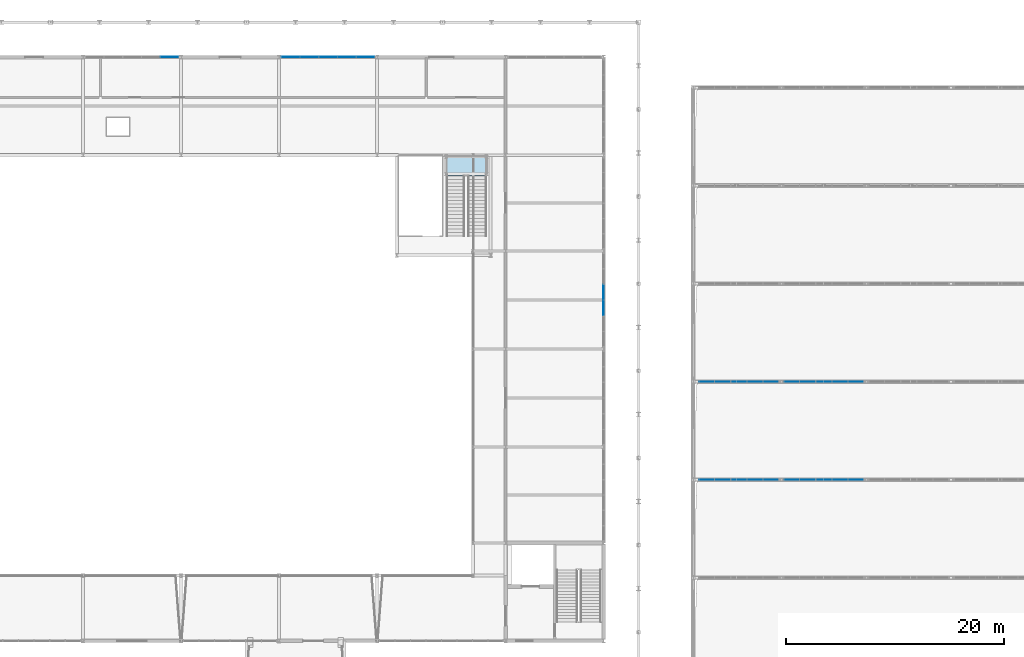
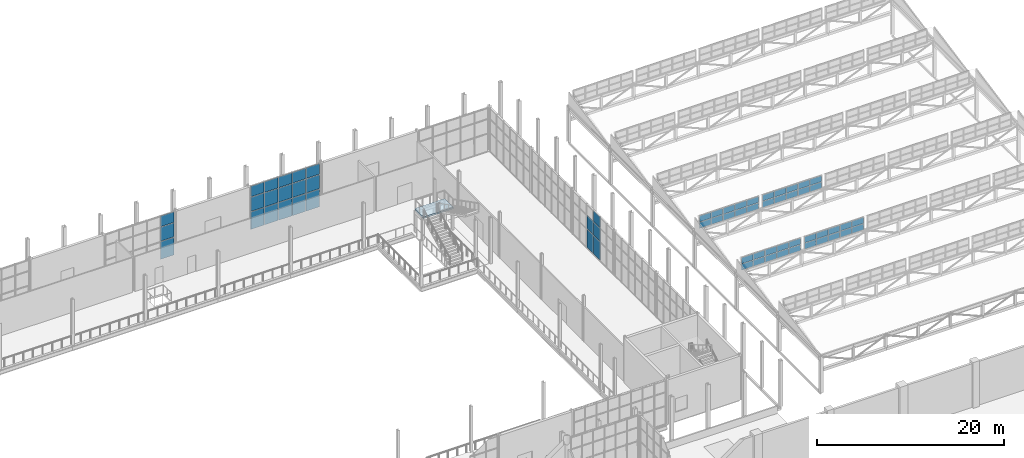
# One storey, part 114 of 159: 63 plates, 1 slab, 8 elements without a shape of their own.
"""IFC4 building model written with IfcOpenShell, lengths in metres."""

from ifc_helpers import new_model, si_unit, direction, frame, origin, origin_2d, place, context, subcontext, project, spatial, polyline, rectangle, outline, extrude, material, layer, layer_set, type_object, element, aggregate, save


model = new_model("IFC4")

# Units and contexts
model_context = context("Model", 3, precision=1e-05, world=origin(), true_north=direction((0.0, 1.0)))
body_context = subcontext(model_context, "Body", "Model", "MODEL_VIEW")
ifc_project = project(units=[si_unit("LENGTHUNIT", "METRE"), si_unit("AREAUNIT", "SQUARE_METRE"), si_unit("VOLUMEUNIT", "CUBIC_METRE"), si_unit("PLANEANGLEUNIT", "RADIAN"), si_unit("MASSUNIT", "GRAM", prefix="KILO")], contexts=[model_context])

# Site, building, storey
site_placement = place(None, origin())
site = spatial("IfcSite", under=ifc_project, at=site_placement, CompositionType="ELEMENT")
building_placement = place(site_placement, origin())
building = spatial("IfcBuilding", under=site, at=building_placement, Name="Cazmaro Siding Exhibition Halls", CompositionType="ELEMENT")
storey_placement = place(building_placement, frame((0.0, 0.0, 6.0)))
storey = spatial("IfcBuildingStorey", under=building, at=storey_placement, Name="L01", CompositionType="ELEMENT", Elevation=6.0)

# Curtain wall, plates
ifc_material_1 = material(Name="Anodized Bronze Aluminum and Solar-Control Low-E Glazing", Category="aluminium")
ifc_layer_1 = layer(ifc_material_1, 0.199951171875)
ifc_layer_set_1 = layer_set([ifc_layer_1], Name="Anodized Bronze Aluminum and Solar-Control Low-E Glazing")
curtain_wall_type_1 = type_object("IfcCurtainWallType", Name="CWS-02", PredefinedType="USERDEFINED", material=ifc_layer_set_1)
curtain_wall_1_placement = place(storey_placement, origin())
curtain_wall_1 = element("IfcCurtainWall", 1, at=curtain_wall_1_placement, inside=storey, type_object=curtain_wall_type_1, Name="Glazed Curtain Wall CWS-02 CW-033", ObjectType="GLAZED CURTAIN WALL", PredefinedType="USERDEFINED")
ifc_material_2 = material(Name="Solar-Control Low-E Double Insulating Glass", Category="glass")
ifc_layer_2 = layer(ifc_material_2, 0.035888671875)
ifc_layer_set_2 = layer_set([ifc_layer_2], Name="Solar-Control Low-E Double Insulating Glass")
plate_type_1 = type_object("IfcPlateType", Name="CWP-02", PredefinedType="CURTAIN_PANEL", material=ifc_layer_set_2)
plate_1_placement = place(storey_placement, frame((127.92626953125, 120.800048828125, 0.06494140625), z_axis=(0.0, 0.0, 1.0), x_axis=(-1.0, 0.0, 0.0)))
plate_1 = element("IfcPlate", 2, at=plate_1_placement, type_object=plate_type_1, Name="CWS-02 panel 1.1", PredefinedType="CURTAIN_PANEL", context=body_context, shape_type="SweptSolid", body=[
    extrude(rectangle(XDim=1.623779296875, YDim=0.035888671875, at=origin_2d()), origin(), (0.0, 0.0, 1.0), 2.302490234375),
])
plate_2_placement = place(storey_placement, frame((127.92626953125, 120.800048828125, 2.4326171875), z_axis=(0.0, 0.0, 1.0), x_axis=(-1.0, 0.0, 0.0)))
plate_2 = element("IfcPlate", 3, at=plate_2_placement, type_object=plate_type_1, Name="CWS-02 panel 1.2", PredefinedType="CURTAIN_PANEL", context=body_context, shape_type="SweptSolid", body=[
    extrude(rectangle(XDim=1.623779296875, YDim=0.035888671875, at=origin_2d()), origin(), (0.0, 0.0, 1.0), 1.8349609375),
])
plate_3_placement = place(storey_placement, frame((127.92626953125, 120.800048828125, 4.33251953125), z_axis=(0.0, 0.0, 1.0), x_axis=(-1.0, 0.0, 0.0)))
plate_3 = element("IfcPlate", 4, at=plate_3_placement, type_object=plate_type_1, Name="CWS-02 panel 1.3", PredefinedType="CURTAIN_PANEL", context=body_context, shape_type="SweptSolid", body=[
    extrude(rectangle(XDim=1.623779296875, YDim=0.035888671875, at=origin_2d()), origin(), (0.0, 0.0, 1.0), 1.382568359375),
])
aggregate(curtain_wall_1, [plate_1, plate_2, plate_3])

curtain_wall_2_placement = place(storey_placement, origin())
curtain_wall_2 = element("IfcCurtainWall", 5, at=curtain_wall_2_placement, inside=storey, type_object=curtain_wall_type_1, Name="Glazed Curtain Wall CWS-02 CW-041", ObjectType="GLAZED CURTAIN WALL", PredefinedType="USERDEFINED")
plate_4_placement = place(storey_placement, frame((145.92626953125, 120.800048828125, 0.06494140625), z_axis=(0.0, 0.0, 1.0), x_axis=(-1.0, 0.0, 0.0)))
plate_4 = element("IfcPlate", 6, at=plate_4_placement, type_object=plate_type_1, Name="CWS-02 panel 1.1", PredefinedType="CURTAIN_PANEL", context=body_context, shape_type="SweptSolid", body=[
    extrude(rectangle(XDim=1.623779296875, YDim=0.035888671875, at=origin_2d()), origin(), (0.0, 0.0, 1.0), 2.302490234375),
])
plate_5_placement = place(storey_placement, frame((145.92626953125, 120.800048828125, 2.4326171875), z_axis=(0.0, 0.0, 1.0), x_axis=(-1.0, 0.0, 0.0)))
plate_5 = element("IfcPlate", 7, at=plate_5_placement, type_object=plate_type_1, Name="CWS-02 panel 1.2", PredefinedType="CURTAIN_PANEL", context=body_context, shape_type="SweptSolid", body=[
    extrude(rectangle(XDim=1.623779296875, YDim=0.035888671875, at=origin_2d()), origin(), (0.0, 0.0, 1.0), 1.8349609375),
])
plate_6_placement = place(storey_placement, frame((145.92626953125, 120.800048828125, 4.33251953125), z_axis=(0.0, 0.0, 1.0), x_axis=(-1.0, 0.0, 0.0)))
plate_6 = element("IfcPlate", 8, at=plate_6_placement, type_object=plate_type_1, Name="CWS-02 panel 1.3", PredefinedType="CURTAIN_PANEL", context=body_context, shape_type="SweptSolid", body=[
    extrude(rectangle(XDim=1.623779296875, YDim=0.035888671875, at=origin_2d()), origin(), (0.0, 0.0, 1.0), 1.382568359375),
])
plate_7_placement = place(storey_placement, frame((144.22119140625, 120.800048828125, 0.06494140625), z_axis=(0.0, 0.0, 1.0), x_axis=(-1.0, 0.0, 0.0)))
plate_7 = element("IfcPlate", 9, at=plate_7_placement, type_object=plate_type_1, Name="CWS-02 panel 2.1", PredefinedType="CURTAIN_PANEL", context=body_context, shape_type="SweptSolid", body=[
    extrude(rectangle(XDim=1.65625, YDim=0.035888671875, at=origin_2d()), origin(), (0.0, 0.0, 1.0), 2.302490234375),
])
plate_8_placement = place(storey_placement, frame((144.22119140625, 120.800048828125, 2.4326171875), z_axis=(0.0, 0.0, 1.0), x_axis=(-1.0, 0.0, 0.0)))
plate_8 = element("IfcPlate", 10, at=plate_8_placement, type_object=plate_type_1, Name="CWS-02 panel 2.2", PredefinedType="CURTAIN_PANEL", context=body_context, shape_type="SweptSolid", body=[
    extrude(rectangle(XDim=1.65625, YDim=0.035888671875, at=origin_2d()), origin(), (0.0, 0.0, 1.0), 1.8349609375),
])
plate_9_placement = place(storey_placement, frame((144.22119140625, 120.800048828125, 4.33251953125), z_axis=(0.0, 0.0, 1.0), x_axis=(-1.0, 0.0, 0.0)))
plate_9 = element("IfcPlate", 11, at=plate_9_placement, type_object=plate_type_1, Name="CWS-02 panel 2.3", PredefinedType="CURTAIN_PANEL", context=body_context, shape_type="SweptSolid", body=[
    extrude(rectangle(XDim=1.65625, YDim=0.035888671875, at=origin_2d()), origin(), (0.0, 0.0, 1.0), 1.382568359375),
])
plate_10_placement = place(storey_placement, frame((142.5, 120.800048828125, 0.06494140625), z_axis=(0.0, 0.0, 1.0), x_axis=(-1.0, 0.0, 0.0)))
plate_10 = element("IfcPlate", 12, at=plate_10_placement, type_object=plate_type_1, Name="CWS-02 panel 3.1", PredefinedType="CURTAIN_PANEL", context=body_context, shape_type="SweptSolid", body=[
    extrude(rectangle(XDim=1.65625, YDim=0.035888671875, at=origin_2d()), origin(), (0.0, 0.0, 1.0), 2.302490234375),
])
plate_11_placement = place(storey_placement, frame((142.5, 120.800048828125, 2.4326171875), z_axis=(0.0, 0.0, 1.0), x_axis=(-1.0, 0.0, 0.0)))
plate_11 = element("IfcPlate", 13, at=plate_11_placement, type_object=plate_type_1, Name="CWS-02 panel 3.2", PredefinedType="CURTAIN_PANEL", context=body_context, shape_type="SweptSolid", body=[
    extrude(rectangle(XDim=1.65625, YDim=0.035888671875, at=origin_2d()), origin(), (0.0, 0.0, 1.0), 1.8349609375),
])
plate_12_placement = place(storey_placement, frame((142.5, 120.800048828125, 4.33251953125), z_axis=(0.0, 0.0, 1.0), x_axis=(-1.0, 0.0, 0.0)))
plate_12 = element("IfcPlate", 14, at=plate_12_placement, type_object=plate_type_1, Name="CWS-02 panel 3.3", PredefinedType="CURTAIN_PANEL", context=body_context, shape_type="SweptSolid", body=[
    extrude(rectangle(XDim=1.65625, YDim=0.035888671875, at=origin_2d()), origin(), (0.0, 0.0, 1.0), 1.382568359375),
])
plate_13_placement = place(storey_placement, frame((140.77880859375, 120.800048828125, 0.06494140625), z_axis=(0.0, 0.0, 1.0), x_axis=(-1.0, 0.0, 0.0)))
plate_13 = element("IfcPlate", 15, at=plate_13_placement, type_object=plate_type_1, Name="CWS-02 panel 4.1", PredefinedType="CURTAIN_PANEL", context=body_context, shape_type="SweptSolid", body=[
    extrude(rectangle(XDim=1.65625, YDim=0.035888671875, at=origin_2d()), origin(), (0.0, 0.0, 1.0), 2.302490234375),
])
plate_14_placement = place(storey_placement, frame((140.77880859375, 120.800048828125, 2.4326171875), z_axis=(0.0, 0.0, 1.0), x_axis=(-1.0, 0.0, 0.0)))
plate_14 = element("IfcPlate", 16, at=plate_14_placement, type_object=plate_type_1, Name="CWS-02 panel 4.2", PredefinedType="CURTAIN_PANEL", context=body_context, shape_type="SweptSolid", body=[
    extrude(rectangle(XDim=1.65625, YDim=0.035888671875, at=origin_2d()), origin(), (0.0, 0.0, 1.0), 1.8349609375),
])
plate_15_placement = place(storey_placement, frame((140.77880859375, 120.800048828125, 4.33251953125), z_axis=(0.0, 0.0, 1.0), x_axis=(-1.0, 0.0, 0.0)))
plate_15 = element("IfcPlate", 17, at=plate_15_placement, type_object=plate_type_1, Name="CWS-02 panel 4.3", PredefinedType="CURTAIN_PANEL", context=body_context, shape_type="SweptSolid", body=[
    extrude(rectangle(XDim=1.65625, YDim=0.035888671875, at=origin_2d()), origin(), (0.0, 0.0, 1.0), 1.382568359375),
])
plate_16_placement = place(storey_placement, frame((139.07373046875, 120.800048828125, 0.06494140625), z_axis=(0.0, 0.0, 1.0), x_axis=(-1.0, 0.0, 0.0)))
plate_16 = element("IfcPlate", 18, at=plate_16_placement, type_object=plate_type_1, Name="CWS-02 panel 5.1", PredefinedType="CURTAIN_PANEL", context=body_context, shape_type="SweptSolid", body=[
    extrude(rectangle(XDim=1.623779296875, YDim=0.035888671875, at=origin_2d()), origin(), (0.0, 0.0, 1.0), 2.302490234375),
])
plate_17_placement = place(storey_placement, frame((139.07373046875, 120.800048828125, 2.4326171875), z_axis=(0.0, 0.0, 1.0), x_axis=(-1.0, 0.0, 0.0)))
plate_17 = element("IfcPlate", 19, at=plate_17_placement, type_object=plate_type_1, Name="CWS-02 panel 5.2", PredefinedType="CURTAIN_PANEL", context=body_context, shape_type="SweptSolid", body=[
    extrude(rectangle(XDim=1.623779296875, YDim=0.035888671875, at=origin_2d()), origin(), (0.0, 0.0, 1.0), 1.8349609375),
])
plate_18_placement = place(storey_placement, frame((139.07373046875, 120.800048828125, 4.33251953125), z_axis=(0.0, 0.0, 1.0), x_axis=(-1.0, 0.0, 0.0)))
plate_18 = element("IfcPlate", 20, at=plate_18_placement, type_object=plate_type_1, Name="CWS-02 panel 5.3", PredefinedType="CURTAIN_PANEL", context=body_context, shape_type="SweptSolid", body=[
    extrude(rectangle(XDim=1.623779296875, YDim=0.035888671875, at=origin_2d()), origin(), (0.0, 0.0, 1.0), 1.382568359375),
])
aggregate(curtain_wall_2, [plate_4, plate_5, plate_6, plate_7, plate_8, plate_9, plate_10, plate_11, plate_12, plate_13, plate_14, plate_15, plate_16, plate_17, plate_18])

ifc_material_3 = material(Name="Anodized Bronze Aluminum and Solar-Control Low-E Glazing", Category="aluminium")
ifc_layer_3 = layer(ifc_material_3, 0.219970703125)
ifc_layer_set_3 = layer_set([ifc_layer_3], Name="Anodized Bronze Aluminum and Solar-Control Low-E Glazing")
curtain_wall_type_2 = type_object("IfcCurtainWallType", Name="CWS-03", PredefinedType="USERDEFINED", material=ifc_layer_set_3)
curtain_wall_3_placement = place(storey_placement, origin())
curtain_wall_3 = element("IfcCurtainWall", 21, at=curtain_wall_3_placement, inside=storey, type_object=curtain_wall_type_2, Name="Glazed Curtain Wall CWS-03 CW-072", ObjectType="GLAZED CURTAIN WALL", PredefinedType="USERDEFINED")
ifc_material_4 = material(Name="Solar-Control Low-E Double Insulating Glass", Category="glass")
ifc_layer_4 = layer(ifc_material_4, 0.0458984375)
ifc_layer_set_4 = layer_set([ifc_layer_4], Name="Solar-Control Low-E Double Insulating Glass")
plate_type_2 = type_object("IfcPlateType", Name="CWP-03", PredefinedType="CURTAIN_PANEL", material=ifc_layer_set_4)
plate_19_placement = place(storey_placement, frame((167.800048828125, 97.779541015625, 0.070068359375), z_axis=(0.0, 0.0, 1.0), x_axis=(0.0, 1.0, 0.0)))
plate_19 = element("IfcPlate", 22, at=plate_19_placement, type_object=plate_type_2, Name="CWS-03 panel 3.1", PredefinedType="CURTAIN_PANEL", context=body_context, shape_type="SweptSolid", body=[
    extrude(rectangle(XDim=1.37109375, YDim=0.0458984375, at=origin_2d()), origin(), (0.0, 0.0, 1.0), 2.39501953125),
])
plate_20_placement = place(storey_placement, frame((167.800048828125, 97.779541015625, 2.534912109375), z_axis=(0.0, 0.0, 1.0), x_axis=(0.0, 1.0, 0.0)))
plate_20 = element("IfcPlate", 23, at=plate_20_placement, type_object=plate_type_2, Name="CWS-03 panel 3.2", PredefinedType="CURTAIN_PANEL", context=body_context, shape_type="SweptSolid", body=[
    extrude(rectangle(XDim=1.37109375, YDim=0.0458984375, at=origin_2d()), origin(), (0.0, 0.0, 1.0), 1.72998046875),
])
plate_21_placement = place(storey_placement, frame((167.800048828125, 97.779541015625, 4.3349609375), z_axis=(0.0, 0.0, 1.0), x_axis=(0.0, 1.0, 0.0)))
plate_21 = element("IfcPlate", 24, at=plate_21_placement, type_object=plate_type_2, Name="CWS-03 panel 3.3", PredefinedType="CURTAIN_PANEL", context=body_context, shape_type="SweptSolid", body=[
    extrude(rectangle(XDim=1.37109375, YDim=0.0458984375, at=origin_2d()), origin(), (0.0, 0.0, 1.0), 1.375),
])
plate_22_placement = place(storey_placement, frame((167.800048828125, 99.220458984375, 0.070068359375), z_axis=(0.0, 0.0, 1.0), x_axis=(0.0, 1.0, 0.0)))
plate_22 = element("IfcPlate", 25, at=plate_22_placement, type_object=plate_type_2, Name="CWS-03 panel 4.1", PredefinedType="CURTAIN_PANEL", context=body_context, shape_type="SweptSolid", body=[
    extrude(rectangle(XDim=1.37109375, YDim=0.0458984375, at=origin_2d()), origin(), (0.0, 0.0, 1.0), 2.39501953125),
])
plate_23_placement = place(storey_placement, frame((167.800048828125, 99.220458984375, 2.534912109375), z_axis=(0.0, 0.0, 1.0), x_axis=(0.0, 1.0, 0.0)))
plate_23 = element("IfcPlate", 26, at=plate_23_placement, type_object=plate_type_2, Name="CWS-03 panel 4.2", PredefinedType="CURTAIN_PANEL", context=body_context, shape_type="SweptSolid", body=[
    extrude(rectangle(XDim=1.37109375, YDim=0.0458984375, at=origin_2d()), origin(), (0.0, 0.0, 1.0), 1.72998046875),
])
aggregate(curtain_wall_3, [plate_19, plate_20, plate_21, plate_22, plate_23])

ifc_material_5 = material(Name="Anodized Bronze Aluminum and Solar-Control Low-E Glazing", Category="aluminium")
ifc_layer_5 = layer(ifc_material_5, 0.159912109375)
ifc_layer_set_5 = layer_set([ifc_layer_5], Name="Anodized Bronze Aluminum and Solar-Control Low-E Glazing")
curtain_wall_type_3 = type_object("IfcCurtainWallType", Name="CWS-04", PredefinedType="USERDEFINED", material=ifc_layer_set_5)
curtain_wall_4_placement = place(storey_placement, origin())
curtain_wall_4 = element("IfcCurtainWall", 27, at=curtain_wall_4_placement, inside=storey, type_object=curtain_wall_type_3, Name="Clerestory Curtain Wall CWS-04 CW-115", ObjectType="CLERESTORY CURTAIN WALL", PredefinedType="USERDEFINED")
ifc_material_6 = material(Name="Solar-Control Low-E Double Insulating Glass", Category="glass")
ifc_layer_6 = layer(ifc_material_6, 0.028076171875)
ifc_layer_set_6 = layer_set([ifc_layer_6], Name="Solar-Control Low-E Double Insulating Glass")
plate_type_3 = type_object("IfcPlateType", Name="CWP-04", PredefinedType="CURTAIN_PANEL", material=ifc_layer_set_6)
plate_24_placement = place(storey_placement, frame((183.14501953125, 82.0, 4.85986328125), z_axis=(0.0, 0.0, 1.0), x_axis=(-1.0, 0.0, 0.0)))
plate_24 = element("IfcPlate", 28, at=plate_24_placement, type_object=plate_type_3, Name="CWS-04 panel 1.1", PredefinedType="CURTAIN_PANEL", context=body_context, shape_type="SweptSolid", body=[
    extrude(rectangle(XDim=1.389892578125, YDim=0.028076171875, at=origin_2d()), origin(), (0.0, 0.0, 1.0), 0.7900390625),
])
plate_25_placement = place(storey_placement, frame((183.14501953125, 82.0, 5.7099609375), z_axis=(0.0, 0.0, 1.0), x_axis=(-1.0, 0.0, 0.0)))
plate_25 = element("IfcPlate", 29, at=plate_25_placement, type_object=plate_type_3, Name="CWS-04 panel 1.2", PredefinedType="CURTAIN_PANEL", context=body_context, shape_type="SweptSolid", body=[
    extrude(rectangle(XDim=1.389892578125, YDim=0.028076171875, at=origin_2d()), origin(), (0.0, 0.0, 1.0), 0.780029296875),
])
plate_26_placement = place(storey_placement, frame((181.679931640625, 82.0, 4.85986328125), z_axis=(0.0, 0.0, 1.0), x_axis=(-1.0, 0.0, 0.0)))
plate_26 = element("IfcPlate", 30, at=plate_26_placement, type_object=plate_type_3, Name="CWS-04 panel 2.1", PredefinedType="CURTAIN_PANEL", context=body_context, shape_type="SweptSolid", body=[
    extrude(rectangle(XDim=1.419921875, YDim=0.028076171875, at=origin_2d()), origin(), (0.0, 0.0, 1.0), 0.7900390625),
])
plate_27_placement = place(storey_placement, frame((181.679931640625, 82.0, 5.7099609375), z_axis=(0.0, 0.0, 1.0), x_axis=(-1.0, 0.0, 0.0)))
plate_27 = element("IfcPlate", 31, at=plate_27_placement, type_object=plate_type_3, Name="CWS-04 panel 2.2", PredefinedType="CURTAIN_PANEL", context=body_context, shape_type="SweptSolid", body=[
    extrude(rectangle(XDim=1.419921875, YDim=0.028076171875, at=origin_2d()), origin(), (0.0, 0.0, 1.0), 0.780029296875),
])
plate_28_placement = place(storey_placement, frame((180.199951171875, 82.0, 4.85986328125), z_axis=(0.0, 0.0, 1.0), x_axis=(-1.0, 0.0, 0.0)))
plate_28 = element("IfcPlate", 32, at=plate_28_placement, type_object=plate_type_3, Name="CWS-04 panel 3.1", PredefinedType="CURTAIN_PANEL", context=body_context, shape_type="SweptSolid", body=[
    extrude(rectangle(XDim=1.419921875, YDim=0.028076171875, at=origin_2d()), origin(), (0.0, 0.0, 1.0), 0.7900390625),
])
plate_29_placement = place(storey_placement, frame((180.199951171875, 82.0, 5.7099609375), z_axis=(0.0, 0.0, 1.0), x_axis=(-1.0, 0.0, 0.0)))
plate_29 = element("IfcPlate", 33, at=plate_29_placement, type_object=plate_type_3, Name="CWS-04 panel 3.2", PredefinedType="CURTAIN_PANEL", context=body_context, shape_type="SweptSolid", body=[
    extrude(rectangle(XDim=1.419921875, YDim=0.028076171875, at=origin_2d()), origin(), (0.0, 0.0, 1.0), 0.780029296875),
])
plate_30_placement = place(storey_placement, frame((178.719970703125, 82.0, 4.85986328125), z_axis=(0.0, 0.0, 1.0), x_axis=(-1.0, 0.0, 0.0)))
plate_30 = element("IfcPlate", 34, at=plate_30_placement, type_object=plate_type_3, Name="CWS-04 panel 4.1", PredefinedType="CURTAIN_PANEL", context=body_context, shape_type="SweptSolid", body=[
    extrude(rectangle(XDim=1.419921875, YDim=0.028076171875, at=origin_2d()), origin(), (0.0, 0.0, 1.0), 0.7900390625),
])
plate_31_placement = place(storey_placement, frame((178.719970703125, 82.0, 5.7099609375), z_axis=(0.0, 0.0, 1.0), x_axis=(-1.0, 0.0, 0.0)))
plate_31 = element("IfcPlate", 35, at=plate_31_placement, type_object=plate_type_3, Name="CWS-04 panel 4.2", PredefinedType="CURTAIN_PANEL", context=body_context, shape_type="SweptSolid", body=[
    extrude(rectangle(XDim=1.419921875, YDim=0.028076171875, at=origin_2d()), origin(), (0.0, 0.0, 1.0), 0.780029296875),
])
plate_32_placement = place(storey_placement, frame((177.2548828125, 82.0, 4.85986328125), z_axis=(0.0, 0.0, 1.0), x_axis=(-1.0, 0.0, 0.0)))
plate_32 = element("IfcPlate", 36, at=plate_32_placement, type_object=plate_type_3, Name="CWS-04 panel 5.1", PredefinedType="CURTAIN_PANEL", context=body_context, shape_type="SweptSolid", body=[
    extrude(rectangle(XDim=1.389892578125, YDim=0.028076171875, at=origin_2d()), origin(), (0.0, 0.0, 1.0), 0.7900390625),
])
plate_33_placement = place(storey_placement, frame((177.2548828125, 82.0, 5.7099609375), z_axis=(0.0, 0.0, 1.0), x_axis=(-1.0, 0.0, 0.0)))
plate_33 = element("IfcPlate", 37, at=plate_33_placement, type_object=plate_type_3, Name="CWS-04 panel 5.2", PredefinedType="CURTAIN_PANEL", context=body_context, shape_type="SweptSolid", body=[
    extrude(rectangle(XDim=1.389892578125, YDim=0.028076171875, at=origin_2d()), origin(), (0.0, 0.0, 1.0), 0.780029296875),
])
aggregate(curtain_wall_4, [plate_24, plate_25, plate_26, plate_27, plate_28, plate_29, plate_30, plate_31, plate_32, plate_33])

curtain_wall_5_placement = place(storey_placement, origin())
curtain_wall_5 = element("IfcCurtainWall", 38, at=curtain_wall_5_placement, inside=storey, type_object=curtain_wall_type_3, Name="Clerestory Curtain Wall CWS-04 CW-116", ObjectType="CLERESTORY CURTAIN WALL", PredefinedType="USERDEFINED")
plate_34_placement = place(storey_placement, frame((190.945068359375, 82.0, 4.85986328125), z_axis=(0.0, 0.0, 1.0), x_axis=(-1.0, 0.0, 0.0)))
plate_34 = element("IfcPlate", 39, at=plate_34_placement, type_object=plate_type_3, Name="CWS-04 panel 1.1", PredefinedType="CURTAIN_PANEL", context=body_context, shape_type="SweptSolid", body=[
    extrude(rectangle(XDim=1.389892578125, YDim=0.028076171875, at=origin_2d()), origin(), (0.0, 0.0, 1.0), 0.7900390625),
])
plate_35_placement = place(storey_placement, frame((190.945068359375, 82.0, 5.7099609375), z_axis=(0.0, 0.0, 1.0), x_axis=(-1.0, 0.0, 0.0)))
plate_35 = element("IfcPlate", 40, at=plate_35_placement, type_object=plate_type_3, Name="CWS-04 panel 1.2", PredefinedType="CURTAIN_PANEL", context=body_context, shape_type="SweptSolid", body=[
    extrude(rectangle(XDim=1.389892578125, YDim=0.028076171875, at=origin_2d()), origin(), (0.0, 0.0, 1.0), 0.780029296875),
])
plate_36_placement = place(storey_placement, frame((189.47998046875, 82.0, 4.85986328125), z_axis=(0.0, 0.0, 1.0), x_axis=(-1.0, 0.0, 0.0)))
plate_36 = element("IfcPlate", 41, at=plate_36_placement, type_object=plate_type_3, Name="CWS-04 panel 2.1", PredefinedType="CURTAIN_PANEL", context=body_context, shape_type="SweptSolid", body=[
    extrude(rectangle(XDim=1.419921875, YDim=0.028076171875, at=origin_2d()), origin(), (0.0, 0.0, 1.0), 0.7900390625),
])
plate_37_placement = place(storey_placement, frame((189.47998046875, 82.0, 5.7099609375), z_axis=(0.0, 0.0, 1.0), x_axis=(-1.0, 0.0, 0.0)))
plate_37 = element("IfcPlate", 42, at=plate_37_placement, type_object=plate_type_3, Name="CWS-04 panel 2.2", PredefinedType="CURTAIN_PANEL", context=body_context, shape_type="SweptSolid", body=[
    extrude(rectangle(XDim=1.419921875, YDim=0.028076171875, at=origin_2d()), origin(), (0.0, 0.0, 1.0), 0.780029296875),
])
plate_38_placement = place(storey_placement, frame((188.0, 82.0, 4.85986328125), z_axis=(0.0, 0.0, 1.0), x_axis=(-1.0, 0.0, 0.0)))
plate_38 = element("IfcPlate", 43, at=plate_38_placement, type_object=plate_type_3, Name="CWS-04 panel 3.1", PredefinedType="CURTAIN_PANEL", context=body_context, shape_type="SweptSolid", body=[
    extrude(rectangle(XDim=1.419921875, YDim=0.028076171875, at=origin_2d()), origin(), (0.0, 0.0, 1.0), 0.7900390625),
])
plate_39_placement = place(storey_placement, frame((188.0, 82.0, 5.7099609375), z_axis=(0.0, 0.0, 1.0), x_axis=(-1.0, 0.0, 0.0)))
plate_39 = element("IfcPlate", 44, at=plate_39_placement, type_object=plate_type_3, Name="CWS-04 panel 3.2", PredefinedType="CURTAIN_PANEL", context=body_context, shape_type="SweptSolid", body=[
    extrude(rectangle(XDim=1.419921875, YDim=0.028076171875, at=origin_2d()), origin(), (0.0, 0.0, 1.0), 0.780029296875),
])
plate_40_placement = place(storey_placement, frame((186.52001953125, 82.0, 4.85986328125), z_axis=(0.0, 0.0, 1.0), x_axis=(-1.0, 0.0, 0.0)))
plate_40 = element("IfcPlate", 45, at=plate_40_placement, type_object=plate_type_3, Name="CWS-04 panel 4.1", PredefinedType="CURTAIN_PANEL", context=body_context, shape_type="SweptSolid", body=[
    extrude(rectangle(XDim=1.419921875, YDim=0.028076171875, at=origin_2d()), origin(), (0.0, 0.0, 1.0), 0.7900390625),
])
plate_41_placement = place(storey_placement, frame((186.52001953125, 82.0, 5.7099609375), z_axis=(0.0, 0.0, 1.0), x_axis=(-1.0, 0.0, 0.0)))
plate_41 = element("IfcPlate", 46, at=plate_41_placement, type_object=plate_type_3, Name="CWS-04 panel 4.2", PredefinedType="CURTAIN_PANEL", context=body_context, shape_type="SweptSolid", body=[
    extrude(rectangle(XDim=1.419921875, YDim=0.028076171875, at=origin_2d()), origin(), (0.0, 0.0, 1.0), 0.780029296875),
])
plate_42_placement = place(storey_placement, frame((185.054931640625, 82.0, 4.85986328125), z_axis=(0.0, 0.0, 1.0), x_axis=(-1.0, 0.0, 0.0)))
plate_42 = element("IfcPlate", 47, at=plate_42_placement, type_object=plate_type_3, Name="CWS-04 panel 5.1", PredefinedType="CURTAIN_PANEL", context=body_context, shape_type="SweptSolid", body=[
    extrude(rectangle(XDim=1.389892578125, YDim=0.028076171875, at=origin_2d()), origin(), (0.0, 0.0, 1.0), 0.7900390625),
])
plate_43_placement = place(storey_placement, frame((185.054931640625, 82.0, 5.7099609375), z_axis=(0.0, 0.0, 1.0), x_axis=(-1.0, 0.0, 0.0)))
plate_43 = element("IfcPlate", 48, at=plate_43_placement, type_object=plate_type_3, Name="CWS-04 panel 5.2", PredefinedType="CURTAIN_PANEL", context=body_context, shape_type="SweptSolid", body=[
    extrude(rectangle(XDim=1.389892578125, YDim=0.028076171875, at=origin_2d()), origin(), (0.0, 0.0, 1.0), 0.780029296875),
])
aggregate(curtain_wall_5, [plate_34, plate_35, plate_36, plate_37, plate_38, plate_39, plate_40, plate_41, plate_42, plate_43])

curtain_wall_6_placement = place(storey_placement, origin())
curtain_wall_6 = element("IfcCurtainWall", 49, at=curtain_wall_6_placement, inside=storey, type_object=curtain_wall_type_3, Name="Clerestory Curtain Wall CWS-04 CW-120", ObjectType="CLERESTORY CURTAIN WALL", PredefinedType="USERDEFINED")
plate_44_placement = place(storey_placement, frame((183.14501953125, 91.0, 4.85986328125), z_axis=(0.0, 0.0, 1.0), x_axis=(-1.0, 0.0, 0.0)))
plate_44 = element("IfcPlate", 50, at=plate_44_placement, type_object=plate_type_3, Name="CWS-04 panel 1.1", PredefinedType="CURTAIN_PANEL", context=body_context, shape_type="SweptSolid", body=[
    extrude(rectangle(XDim=1.389892578125, YDim=0.028076171875, at=origin_2d()), origin(), (0.0, 0.0, 1.0), 0.7900390625),
])
plate_45_placement = place(storey_placement, frame((183.14501953125, 91.0, 5.7099609375), z_axis=(0.0, 0.0, 1.0), x_axis=(-1.0, 0.0, 0.0)))
plate_45 = element("IfcPlate", 51, at=plate_45_placement, type_object=plate_type_3, Name="CWS-04 panel 1.2", PredefinedType="CURTAIN_PANEL", context=body_context, shape_type="SweptSolid", body=[
    extrude(rectangle(XDim=1.389892578125, YDim=0.028076171875, at=origin_2d()), origin(), (0.0, 0.0, 1.0), 0.780029296875),
])
plate_46_placement = place(storey_placement, frame((181.679931640625, 91.0, 4.85986328125), z_axis=(0.0, 0.0, 1.0), x_axis=(-1.0, 0.0, 0.0)))
plate_46 = element("IfcPlate", 52, at=plate_46_placement, type_object=plate_type_3, Name="CWS-04 panel 2.1", PredefinedType="CURTAIN_PANEL", context=body_context, shape_type="SweptSolid", body=[
    extrude(rectangle(XDim=1.419921875, YDim=0.028076171875, at=origin_2d()), origin(), (0.0, 0.0, 1.0), 0.7900390625),
])
plate_47_placement = place(storey_placement, frame((181.679931640625, 91.0, 5.7099609375), z_axis=(0.0, 0.0, 1.0), x_axis=(-1.0, 0.0, 0.0)))
plate_47 = element("IfcPlate", 53, at=plate_47_placement, type_object=plate_type_3, Name="CWS-04 panel 2.2", PredefinedType="CURTAIN_PANEL", context=body_context, shape_type="SweptSolid", body=[
    extrude(rectangle(XDim=1.419921875, YDim=0.028076171875, at=origin_2d()), origin(), (0.0, 0.0, 1.0), 0.780029296875),
])
plate_48_placement = place(storey_placement, frame((180.199951171875, 91.0, 4.85986328125), z_axis=(0.0, 0.0, 1.0), x_axis=(-1.0, 0.0, 0.0)))
plate_48 = element("IfcPlate", 54, at=plate_48_placement, type_object=plate_type_3, Name="CWS-04 panel 3.1", PredefinedType="CURTAIN_PANEL", context=body_context, shape_type="SweptSolid", body=[
    extrude(rectangle(XDim=1.419921875, YDim=0.028076171875, at=origin_2d()), origin(), (0.0, 0.0, 1.0), 0.7900390625),
])
plate_49_placement = place(storey_placement, frame((180.199951171875, 91.0, 5.7099609375), z_axis=(0.0, 0.0, 1.0), x_axis=(-1.0, 0.0, 0.0)))
plate_49 = element("IfcPlate", 55, at=plate_49_placement, type_object=plate_type_3, Name="CWS-04 panel 3.2", PredefinedType="CURTAIN_PANEL", context=body_context, shape_type="SweptSolid", body=[
    extrude(rectangle(XDim=1.419921875, YDim=0.028076171875, at=origin_2d()), origin(), (0.0, 0.0, 1.0), 0.780029296875),
])
plate_50_placement = place(storey_placement, frame((178.719970703125, 91.0, 4.85986328125), z_axis=(0.0, 0.0, 1.0), x_axis=(-1.0, 0.0, 0.0)))
plate_50 = element("IfcPlate", 56, at=plate_50_placement, type_object=plate_type_3, Name="CWS-04 panel 4.1", PredefinedType="CURTAIN_PANEL", context=body_context, shape_type="SweptSolid", body=[
    extrude(rectangle(XDim=1.419921875, YDim=0.028076171875, at=origin_2d()), origin(), (0.0, 0.0, 1.0), 0.7900390625),
])
plate_51_placement = place(storey_placement, frame((178.719970703125, 91.0, 5.7099609375), z_axis=(0.0, 0.0, 1.0), x_axis=(-1.0, 0.0, 0.0)))
plate_51 = element("IfcPlate", 57, at=plate_51_placement, type_object=plate_type_3, Name="CWS-04 panel 4.2", PredefinedType="CURTAIN_PANEL", context=body_context, shape_type="SweptSolid", body=[
    extrude(rectangle(XDim=1.419921875, YDim=0.028076171875, at=origin_2d()), origin(), (0.0, 0.0, 1.0), 0.780029296875),
])
plate_52_placement = place(storey_placement, frame((177.2548828125, 91.0, 4.85986328125), z_axis=(0.0, 0.0, 1.0), x_axis=(-1.0, 0.0, 0.0)))
plate_52 = element("IfcPlate", 58, at=plate_52_placement, type_object=plate_type_3, Name="CWS-04 panel 5.1", PredefinedType="CURTAIN_PANEL", context=body_context, shape_type="SweptSolid", body=[
    extrude(rectangle(XDim=1.389892578125, YDim=0.028076171875, at=origin_2d()), origin(), (0.0, 0.0, 1.0), 0.7900390625),
])
plate_53_placement = place(storey_placement, frame((177.2548828125, 91.0, 5.7099609375), z_axis=(0.0, 0.0, 1.0), x_axis=(-1.0, 0.0, 0.0)))
plate_53 = element("IfcPlate", 59, at=plate_53_placement, type_object=plate_type_3, Name="CWS-04 panel 5.2", PredefinedType="CURTAIN_PANEL", context=body_context, shape_type="SweptSolid", body=[
    extrude(rectangle(XDim=1.389892578125, YDim=0.028076171875, at=origin_2d()), origin(), (0.0, 0.0, 1.0), 0.780029296875),
])
aggregate(curtain_wall_6, [plate_44, plate_45, plate_46, plate_47, plate_48, plate_49, plate_50, plate_51, plate_52, plate_53])

curtain_wall_7_placement = place(storey_placement, origin())
curtain_wall_7 = element("IfcCurtainWall", 60, at=curtain_wall_7_placement, inside=storey, type_object=curtain_wall_type_3, Name="Clerestory Curtain Wall CWS-04 CW-121", ObjectType="CLERESTORY CURTAIN WALL", PredefinedType="USERDEFINED")
plate_54_placement = place(storey_placement, frame((190.945068359375, 91.0, 4.85986328125), z_axis=(0.0, 0.0, 1.0), x_axis=(-1.0, 0.0, 0.0)))
plate_54 = element("IfcPlate", 61, at=plate_54_placement, type_object=plate_type_3, Name="CWS-04 panel 1.1", PredefinedType="CURTAIN_PANEL", context=body_context, shape_type="SweptSolid", body=[
    extrude(rectangle(XDim=1.389892578125, YDim=0.028076171875, at=origin_2d()), origin(), (0.0, 0.0, 1.0), 0.7900390625),
])
plate_55_placement = place(storey_placement, frame((190.945068359375, 91.0, 5.7099609375), z_axis=(0.0, 0.0, 1.0), x_axis=(-1.0, 0.0, 0.0)))
plate_55 = element("IfcPlate", 62, at=plate_55_placement, type_object=plate_type_3, Name="CWS-04 panel 1.2", PredefinedType="CURTAIN_PANEL", context=body_context, shape_type="SweptSolid", body=[
    extrude(rectangle(XDim=1.389892578125, YDim=0.028076171875, at=origin_2d()), origin(), (0.0, 0.0, 1.0), 0.780029296875),
])
plate_56_placement = place(storey_placement, frame((189.47998046875, 91.0, 4.85986328125), z_axis=(0.0, 0.0, 1.0), x_axis=(-1.0, 0.0, 0.0)))
plate_56 = element("IfcPlate", 63, at=plate_56_placement, type_object=plate_type_3, Name="CWS-04 panel 2.1", PredefinedType="CURTAIN_PANEL", context=body_context, shape_type="SweptSolid", body=[
    extrude(rectangle(XDim=1.419921875, YDim=0.028076171875, at=origin_2d()), origin(), (0.0, 0.0, 1.0), 0.7900390625),
])
plate_57_placement = place(storey_placement, frame((189.47998046875, 91.0, 5.7099609375), z_axis=(0.0, 0.0, 1.0), x_axis=(-1.0, 0.0, 0.0)))
plate_57 = element("IfcPlate", 64, at=plate_57_placement, type_object=plate_type_3, Name="CWS-04 panel 2.2", PredefinedType="CURTAIN_PANEL", context=body_context, shape_type="SweptSolid", body=[
    extrude(rectangle(XDim=1.419921875, YDim=0.028076171875, at=origin_2d()), origin(), (0.0, 0.0, 1.0), 0.780029296875),
])
plate_58_placement = place(storey_placement, frame((188.0, 91.0, 4.85986328125), z_axis=(0.0, 0.0, 1.0), x_axis=(-1.0, 0.0, 0.0)))
plate_58 = element("IfcPlate", 65, at=plate_58_placement, type_object=plate_type_3, Name="CWS-04 panel 3.1", PredefinedType="CURTAIN_PANEL", context=body_context, shape_type="SweptSolid", body=[
    extrude(rectangle(XDim=1.419921875, YDim=0.028076171875, at=origin_2d()), origin(), (0.0, 0.0, 1.0), 0.7900390625),
])
plate_59_placement = place(storey_placement, frame((188.0, 91.0, 5.7099609375), z_axis=(0.0, 0.0, 1.0), x_axis=(-1.0, 0.0, 0.0)))
plate_59 = element("IfcPlate", 66, at=plate_59_placement, type_object=plate_type_3, Name="CWS-04 panel 3.2", PredefinedType="CURTAIN_PANEL", context=body_context, shape_type="SweptSolid", body=[
    extrude(rectangle(XDim=1.419921875, YDim=0.028076171875, at=origin_2d()), origin(), (0.0, 0.0, 1.0), 0.780029296875),
])
plate_60_placement = place(storey_placement, frame((186.52001953125, 91.0, 4.85986328125), z_axis=(0.0, 0.0, 1.0), x_axis=(-1.0, 0.0, 0.0)))
plate_60 = element("IfcPlate", 67, at=plate_60_placement, type_object=plate_type_3, Name="CWS-04 panel 4.1", PredefinedType="CURTAIN_PANEL", context=body_context, shape_type="SweptSolid", body=[
    extrude(rectangle(XDim=1.419921875, YDim=0.028076171875, at=origin_2d()), origin(), (0.0, 0.0, 1.0), 0.7900390625),
])
plate_61_placement = place(storey_placement, frame((186.52001953125, 91.0, 5.7099609375), z_axis=(0.0, 0.0, 1.0), x_axis=(-1.0, 0.0, 0.0)))
plate_61 = element("IfcPlate", 68, at=plate_61_placement, type_object=plate_type_3, Name="CWS-04 panel 4.2", PredefinedType="CURTAIN_PANEL", context=body_context, shape_type="SweptSolid", body=[
    extrude(rectangle(XDim=1.419921875, YDim=0.028076171875, at=origin_2d()), origin(), (0.0, 0.0, 1.0), 0.780029296875),
])
plate_62_placement = place(storey_placement, frame((185.054931640625, 91.0, 4.85986328125), z_axis=(0.0, 0.0, 1.0), x_axis=(-1.0, 0.0, 0.0)))
plate_62 = element("IfcPlate", 69, at=plate_62_placement, type_object=plate_type_3, Name="CWS-04 panel 5.1", PredefinedType="CURTAIN_PANEL", context=body_context, shape_type="SweptSolid", body=[
    extrude(rectangle(XDim=1.389892578125, YDim=0.028076171875, at=origin_2d()), origin(), (0.0, 0.0, 1.0), 0.7900390625),
])
plate_63_placement = place(storey_placement, frame((185.054931640625, 91.0, 5.7099609375), z_axis=(0.0, 0.0, 1.0), x_axis=(-1.0, 0.0, 0.0)))
plate_63 = element("IfcPlate", 70, at=plate_63_placement, type_object=plate_type_3, Name="CWS-04 panel 5.2", PredefinedType="CURTAIN_PANEL", context=body_context, shape_type="SweptSolid", body=[
    extrude(rectangle(XDim=1.389892578125, YDim=0.028076171875, at=origin_2d()), origin(), (0.0, 0.0, 1.0), 0.780029296875),
])
aggregate(curtain_wall_7, [plate_54, plate_55, plate_56, plate_57, plate_58, plate_59, plate_60, plate_61, plate_62, plate_63])

# Stair, slab
ifc_material_7 = material(Name="Steel ASTM A992 Grade 50 Stringers with Precast Treads", Category="concrete")
stair_type = type_object("IfcStairType", Name="STT-25", PredefinedType="TWO_STRAIGHT_RUN_STAIR", material=ifc_material_7)
stair_placement = place(storey_placement, origin())
stair = element("IfcStair", 71, at=stair_placement, inside=storey, type_object=stair_type, Name="Hall A East Feature Gallery Stair L01-L02 ST-25", PredefinedType="TWO_STRAIGHT_RUN_STAIR")
ifc_material_8 = material(Name="Concrete f'c 40 MPa", Category="concrete")
ifc_layer_7 = layer(ifc_material_8, 0.199951171875)
ifc_layer_set_7 = layer_set([ifc_layer_7], Name="Concrete f'c 40 MPa")
slab_type = type_object("IfcSlabType", Name="LND-25", PredefinedType="LANDING", material=ifc_layer_set_7)
slab_placement = place(storey_placement, frame((0.0, 0.0, 2.800048828125)))
slab = element("IfcSlab", 72, at=slab_placement, type_object=slab_type, Name="ST-25 landing 1", PredefinedType="LANDING", context=body_context, shape_type="SweptSolid", body=[
    extrude(outline(polyline([(153.35009765625, 109.89990234375), (157.030029296875, 109.89990234375), (157.030029296875, 111.780029296875), (153.35009765625, 111.780029296875), (153.35009765625, 109.89990234375)])), origin(), (0.0, 0.0, 1.0), 0.199951171875),
])
aggregate(stair, [slab])

save(model, "model.ifc")
